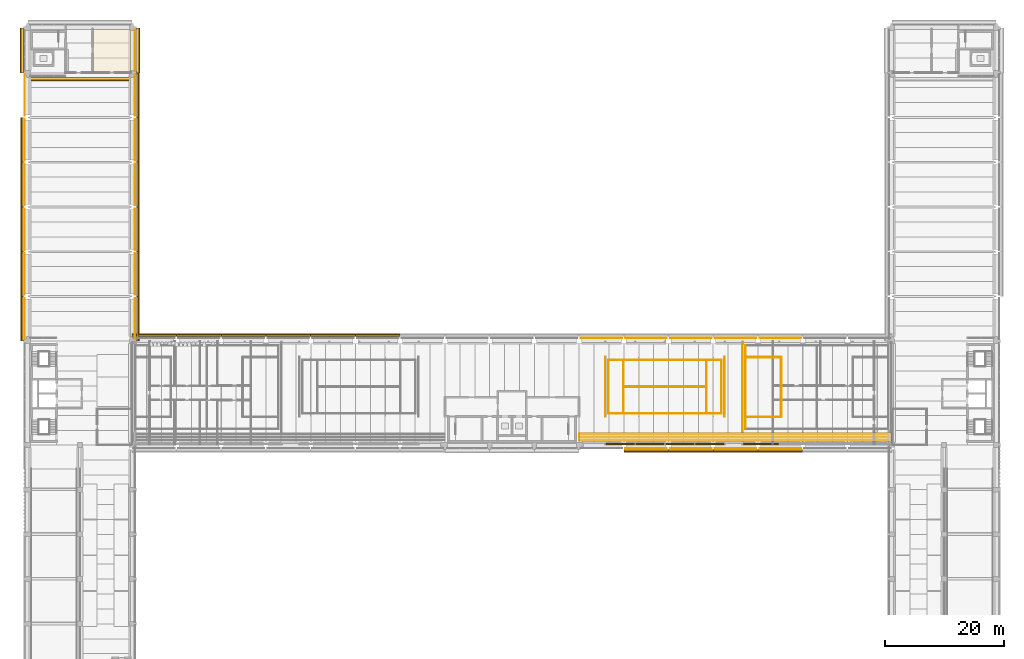
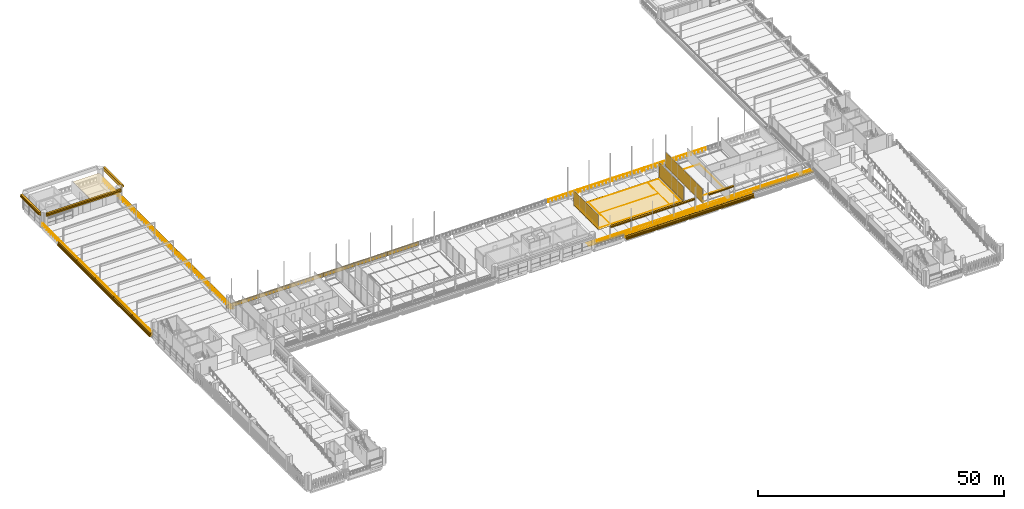
# One storey, part 52 of 62: 44 coverings, 22 railings, 10 shading devices.
"""IFC4 building model written with IfcOpenShell, lengths in metres."""

from ifc_helpers import new_model, si_unit, direction, frame, origin, origin_2d, place, context, subcontext, project, spatial, polyline, rectangle, circle, outline, extrude, material, layer, layer_set, material_profile, profile_set, type_object, element, save


model = new_model("IFC4")

# Units and contexts
model_context = context("Model", 3, precision=1e-05, world=origin(), true_north=direction((0.0, 1.0)))
body_context = subcontext(model_context, "Body", "Model", "MODEL_VIEW")
ifc_project = project(units=[si_unit("LENGTHUNIT", "METRE"), si_unit("AREAUNIT", "SQUARE_METRE"), si_unit("VOLUMEUNIT", "CUBIC_METRE"), si_unit("PLANEANGLEUNIT", "RADIAN"), si_unit("MASSUNIT", "GRAM", prefix="KILO")], contexts=[model_context])

# Site, building, storey
site_placement = place(None, origin())
site = spatial("IfcSite", under=ifc_project, at=site_placement, CompositionType="ELEMENT")
building_placement = place(site_placement, origin())
building = spatial("IfcBuilding", under=site, at=building_placement, Name="Cour d'Honneur Mobility Palace", CompositionType="ELEMENT")
storey_placement = place(building_placement, frame((0.0, 0.0, 19.300048828125)))
storey = spatial("IfcBuildingStorey", under=building, at=storey_placement, Name="L05", CompositionType="ELEMENT", Elevation=19.300048828125)

# Coverings
ifc_material_1 = material(Name="Polyethylene ball-stop net dark green")
ifc_layer_1 = layer(ifc_material_1, 0.010009765625)
ifc_layer_set_1 = layer_set([ifc_layer_1], Name="Polyethylene ball-stop net dark green")
covering_type_1 = type_object("IfcCoveringType", Name="Ball-stop net", PredefinedType="CLADDING", material=ifc_layer_set_1)
covering_1_placement = place(storey_placement, frame((119.760009765625, 47.199951171875, 0.14990234375), z_axis=(1.0, 0.0, 0.0), x_axis=(0.0, 1.0, 0.0)))
element("IfcCovering", 1, at=covering_1_placement, inside=storey, type_object=covering_type_1, Name="Ball-stop net FE-5", PredefinedType="CLADDING", context=body_context, shape_type="SweptSolid", body=[
    extrude(outline(polyline([(0.0, 0.0), (15.0, 0.0), (15.0, 3.590087890625), (0.0, 3.590087890625), (0.0, 0.0)])), origin(), (0.0, 0.0, -1.0), 0.010009765625),
])
for number, where, z_axis, x_axis, name in (
    (2, (96.760009765625, 49.75, 0.14990234375), (1.0, 0.0, 0.0), (0.0, 1.0, 0.0), "Ball-stop net PE-7"),
    (3, (116.760009765625, 49.75, 0.14990234375), (1.0, 0.0, 0.0), (0.0, 1.0, 0.0), "Ball-stop net PE-8"),
):
    element("IfcCovering", number, at=place(storey_placement, frame(where, z_axis=z_axis, x_axis=x_axis)), inside=storey, type_object=covering_type_1, Name=name, PredefinedType="CLADDING", context=body_context, shape_type="SweptSolid", body=[
        extrude(outline(polyline([(0.0, 0.0), (10.0, 0.0), (10.0, 3.590087890625), (0.0, 3.590087890625), (0.0, 0.0)])), origin(), (0.0, 0.0, -1.0), 0.010009765625),
    ])

# Railings
ifc_material_2 = material(Name="Painted steel", Category="steel")
railing_type = type_object("IfcRailingType", Name="Balustrade", PredefinedType="BALUSTRADE", material=ifc_material_2)
for number, where, name in (
    (4, (100.199951171875, 44.449951171875, 0.300048828125), "Balustrade BAL-277"),
    (5, (107.699951171875, 44.449951171875, 0.300048828125), "Balustrade BAL-278"),
    (6, (115.199951171875, 44.449951171875, 0.300048828125), "Balustrade BAL-279"),
    (7, (122.699951171875, 44.449951171875, 0.300048828125), "Balustrade BAL-280"),
):
    element("IfcRailing", number, at=place(storey_placement, frame(where)), inside=storey, type_object=railing_type, Name=name, PredefinedType="BALUSTRADE", context=body_context, shape_type="SweptSolid", body=[
        extrude(circle(Radius=0.02392578125, at=origin_2d()), frame((0.0, 0.0, 0.77587890625), z_axis=(1.0, 0.0, 0.0), x_axis=(0.0, 1.0, 0.0)), (0.0, 0.0, 1.0), 6.900146484375),
        extrude(circle(Radius=0.02099609375, at=origin_2d()), origin(), (0.0, 0.0, 1.0), 0.751953125),
        extrude(circle(Radius=0.02099609375, at=origin_2d()), frame((0.862548828125, 0.0, 0.0)), (0.0, 0.0, 1.0), 0.751953125),
        extrude(circle(Radius=0.02099609375, at=origin_2d()), frame((1.72509765625, 0.0, 0.0)), (0.0, 0.0, 1.0), 0.751953125),
        extrude(circle(Radius=0.02099609375, at=origin_2d()), frame((2.587646484375, 0.0, 0.0)), (0.0, 0.0, 1.0), 0.751953125),
        extrude(circle(Radius=0.02099609375, at=origin_2d()), frame((3.4501953125, 0.0, 0.0)), (0.0, 0.0, 1.0), 0.751953125),
        extrude(circle(Radius=0.02099609375, at=origin_2d()), frame((4.3125, 0.0, 0.0)), (0.0, 0.0, 1.0), 0.751953125),
        extrude(circle(Radius=0.02099609375, at=origin_2d()), frame((5.175048828125, 0.0, 0.0)), (0.0, 0.0, 1.0), 0.751953125),
        extrude(circle(Radius=0.02099609375, at=origin_2d()), frame((6.03759765625, 0.0, 0.0)), (0.0, 0.0, 1.0), 0.751953125),
        extrude(circle(Radius=0.02099609375, at=origin_2d()), frame((6.900146484375, 0.0, 0.0)), (0.0, 0.0, 1.0), 0.751953125),
    ])
for number, where, name in (
    (8, (129.60009765625, 62.949951171875, 0.300048828125), "Balustrade BAL-309"),
    (9, (122.10009765625, 62.949951171875, 0.300048828125), "Balustrade BAL-310"),
    (10, (114.60009765625, 62.949951171875, 0.300048828125), "Balustrade BAL-311"),
    (11, (107.10009765625, 62.949951171875, 0.300048828125), "Balustrade BAL-312"),
    (12, (99.60009765625, 62.949951171875, 0.300048828125), "Balustrade BAL-313"),
):
    element("IfcRailing", number, at=place(storey_placement, frame(where)), inside=storey, type_object=railing_type, Name=name, PredefinedType="BALUSTRADE", context=body_context, shape_type="SweptSolid", body=[
        extrude(circle(Radius=0.02392578125, at=origin_2d()), frame((0.0, 0.0, 0.77587890625), z_axis=(-1.0, 0.0, 0.0), x_axis=(0.0, -1.0, 0.0)), (0.0, 0.0, 1.0), 6.900146484375),
        extrude(circle(Radius=0.02099609375, at=origin_2d()), origin(), (0.0, 0.0, 1.0), 0.751953125),
        extrude(circle(Radius=0.02099609375, at=origin_2d()), frame((-0.862548828125, 0.0, 0.0)), (0.0, 0.0, 1.0), 0.751953125),
        extrude(circle(Radius=0.02099609375, at=origin_2d()), frame((-1.72509765625, 0.0, 0.0)), (0.0, 0.0, 1.0), 0.751953125),
        extrude(circle(Radius=0.02099609375, at=origin_2d()), frame((-2.587646484375, 0.0, 0.0)), (0.0, 0.0, 1.0), 0.751953125),
        extrude(circle(Radius=0.02099609375, at=origin_2d()), frame((-3.4501953125, 0.0, 0.0)), (0.0, 0.0, 1.0), 0.751953125),
        extrude(circle(Radius=0.02099609375, at=origin_2d()), frame((-4.3125, 0.0, 0.0)), (0.0, 0.0, 1.0), 0.751953125),
        extrude(circle(Radius=0.02099609375, at=origin_2d()), frame((-5.175048828125, 0.0, 0.0)), (0.0, 0.0, 1.0), 0.751953125),
        extrude(circle(Radius=0.02099609375, at=origin_2d()), frame((-6.03759765625, 0.0, 0.0)), (0.0, 0.0, 1.0), 0.751953125),
        extrude(circle(Radius=0.02099609375, at=origin_2d()), frame((-6.900146484375, 0.0, 0.0)), (0.0, 0.0, 1.0), 0.751953125),
    ])
for number, where, name in (
    (13, (17.949951171875, 62.699951171875, 0.300048828125), "Balustrade BAL-324"),
    (14, (17.949951171875, 70.199951171875, 0.300048828125), "Balustrade BAL-325"),
    (15, (17.949951171875, 77.699951171875, 0.300048828125), "Balustrade BAL-326"),
    (16, (17.949951171875, 85.199951171875, 0.300048828125), "Balustrade BAL-327"),
    (17, (17.949951171875, 92.699951171875, 0.300048828125), "Balustrade BAL-328"),
    (18, (17.949951171875, 100.199951171875, 0.300048828125), "Balustrade BAL-329"),
    (19, (17.949951171875, 107.699951171875, 0.300048828125), "Balustrade BAL-330"),
):
    element("IfcRailing", number, at=place(storey_placement, frame(where)), inside=storey, type_object=railing_type, Name=name, PredefinedType="BALUSTRADE", context=body_context, shape_type="SweptSolid", body=[
        extrude(circle(Radius=0.02392578125, at=origin_2d()), frame((0.0, 0.0, 0.77587890625), z_axis=(0.0, 1.0, 0.0), x_axis=(-1.0, 0.0, 0.0)), (0.0, 0.0, 1.0), 6.900146484375),
        extrude(circle(Radius=0.02099609375, at=origin_2d()), origin(), (0.0, 0.0, 1.0), 0.751953125),
        extrude(circle(Radius=0.02099609375, at=origin_2d()), frame((0.0, 0.862548828125, 0.0)), (0.0, 0.0, 1.0), 0.751953125),
        extrude(circle(Radius=0.02099609375, at=origin_2d()), frame((0.0, 1.72509765625, 0.0)), (0.0, 0.0, 1.0), 0.751953125),
        extrude(circle(Radius=0.02099609375, at=origin_2d()), frame((0.0, 2.587646484375, 0.0)), (0.0, 0.0, 1.0), 0.751953125),
        extrude(circle(Radius=0.02099609375, at=origin_2d()), frame((0.0, 3.4501953125, 0.0)), (0.0, 0.0, 1.0), 0.751953125),
        extrude(circle(Radius=0.02099609375, at=origin_2d()), frame((0.0, 4.3125, 0.0)), (0.0, 0.0, 1.0), 0.751953125),
        extrude(circle(Radius=0.02099609375, at=origin_2d()), frame((0.0, 5.175048828125, 0.0)), (0.0, 0.0, 1.0), 0.751953125),
        extrude(circle(Radius=0.02099609375, at=origin_2d()), frame((0.0, 6.03759765625, 0.0)), (0.0, 0.0, 1.0), 0.751953125),
        extrude(circle(Radius=0.02099609375, at=origin_2d()), frame((0.0, 6.900146484375, 0.0)), (0.0, 0.0, 1.0), 0.751953125),
    ])
for number, where, name in (
    (20, (-0.550048828125, 107.10009765625, 0.300048828125), "Balustrade BAL-332"),
    (21, (-0.550048828125, 99.60009765625, 0.300048828125), "Balustrade BAL-333"),
    (22, (-0.550048828125, 92.10009765625, 0.300048828125), "Balustrade BAL-334"),
    (23, (-0.550048828125, 84.60009765625, 0.300048828125), "Balustrade BAL-335"),
    (24, (-0.550048828125, 77.10009765625, 0.300048828125), "Balustrade BAL-336"),
    (25, (-0.550048828125, 69.60009765625, 0.300048828125), "Balustrade BAL-337"),
):
    element("IfcRailing", number, at=place(storey_placement, frame(where)), inside=storey, type_object=railing_type, Name=name, PredefinedType="BALUSTRADE", context=body_context, shape_type="SweptSolid", body=[
        extrude(circle(Radius=0.02392578125, at=origin_2d()), frame((0.0, 0.0, 0.77587890625), z_axis=(0.0, -1.0, 0.0), x_axis=(1.0, 0.0, 0.0)), (0.0, 0.0, 1.0), 6.900146484375),
        extrude(circle(Radius=0.02099609375, at=origin_2d()), origin(), (0.0, 0.0, 1.0), 0.751953125),
        extrude(circle(Radius=0.02099609375, at=origin_2d()), frame((0.0, -0.862548828125, 0.0)), (0.0, 0.0, 1.0), 0.751953125),
        extrude(circle(Radius=0.02099609375, at=origin_2d()), frame((0.0, -1.72509765625, 0.0)), (0.0, 0.0, 1.0), 0.751953125),
        extrude(circle(Radius=0.02099609375, at=origin_2d()), frame((0.0, -2.587646484375, 0.0)), (0.0, 0.0, 1.0), 0.751953125),
        extrude(circle(Radius=0.02099609375, at=origin_2d()), frame((0.0, -3.4501953125, 0.0)), (0.0, 0.0, 1.0), 0.751953125),
        extrude(circle(Radius=0.02099609375, at=origin_2d()), frame((0.0, -4.3125, 0.0)), (0.0, 0.0, 1.0), 0.751953125),
        extrude(circle(Radius=0.02099609375, at=origin_2d()), frame((0.0, -5.175048828125, 0.0)), (0.0, 0.0, 1.0), 0.751953125),
        extrude(circle(Radius=0.02099609375, at=origin_2d()), frame((0.0, -6.03759765625, 0.0)), (0.0, 0.0, 1.0), 0.751953125),
        extrude(circle(Radius=0.02099609375, at=origin_2d()), frame((0.0, -6.900146484375, 0.0)), (0.0, 0.0, 1.0), 0.751953125),
    ])

# Coverings
ifc_material_3 = material(Name="White court marking paint")
ifc_material_profile = material_profile(ifc_material_3, rectangle(XDim=0.10009765625, YDim=0.001953125, at=origin_2d()), Name="Court line marking")
ifc_profile_set = profile_set([ifc_material_profile], Name="White court marking paint")
covering_type_2 = type_object("IfcCoveringType", Name="Court line marking", PredefinedType="FLOORING", material=ifc_profile_set)
covering_2_placement = place(storey_placement, frame((120.300048828125, 61.699951171875, 0.0009765625), z_axis=(0.0, -1.0, 0.0), x_axis=(1.0, 0.0, 0.0)))
element("IfcCovering", 26, at=covering_2_placement, inside=storey, type_object=covering_type_2, Name="Court marking FE-22", PredefinedType="FLOORING", context=body_context, shape_type="SweptSolid", body=[
    extrude(rectangle(XDim=0.10009765625, YDim=0.001953125, at=origin_2d()), origin(), (0.0, 0.0, 1.0), 14.0),
])
covering_3_placement = place(storey_placement, frame((126.300048828125, 49.699951171875, 0.0009765625), z_axis=(0.0, 1.0, 0.0), x_axis=(-1.0, 0.0, 0.0)))
element("IfcCovering", 27, at=covering_3_placement, inside=storey, type_object=covering_type_2, Name="Court marking FE-24", PredefinedType="FLOORING", context=body_context, shape_type="SweptSolid", body=[
    extrude(rectangle(XDim=0.10009765625, YDim=0.001953125, at=origin_2d()), origin(), (0.0, 0.0, 1.0), 10.0),
])
for number, where, z_axis, x_axis, name in (
    (28, (120.300048828125, 49.699951171875, 0.0009765625), (1.0, 0.0, 0.0), (0.0, 1.0, 0.0), "Court marking FE-25"),
    (29, (120.300048828125, 59.699951171875, 0.0009765625), (1.0, 0.0, 0.0), (0.0, 1.0, 0.0), "Court marking FE-26"),
):
    element("IfcCovering", number, at=place(storey_placement, frame(where, z_axis=z_axis, x_axis=x_axis)), inside=storey, type_object=covering_type_2, Name=name, PredefinedType="FLOORING", context=body_context, shape_type="SweptSolid", body=[
        extrude(rectangle(XDim=0.10009765625, YDim=0.001953125, at=origin_2d()), origin(), (0.0, 0.0, 1.0), 6.0),
    ])
covering_4_placement = place(storey_placement, frame((97.300048828125, 50.25, 0.0009765625), z_axis=(1.0, 0.0, 0.0), x_axis=(0.0, 1.0, 0.0)))
element("IfcCovering", 30, at=covering_4_placement, inside=storey, type_object=covering_type_2, Name="Court marking PE-30", PredefinedType="FLOORING", context=body_context, shape_type="SweptSolid", body=[
    extrude(rectangle(XDim=0.10009765625, YDim=0.001953125, at=origin_2d()), origin(), (0.0, 0.0, 1.0), 19.0),
])
covering_5_placement = place(storey_placement, frame((116.300048828125, 50.25, 0.0009765625), z_axis=(0.0, 1.0, 0.0), x_axis=(-1.0, 0.0, 0.0)))
element("IfcCovering", 31, at=covering_5_placement, inside=storey, type_object=covering_type_2, Name="Court marking PE-31", PredefinedType="FLOORING", context=body_context, shape_type="SweptSolid", body=[
    extrude(rectangle(XDim=0.10009765625, YDim=0.001953125, at=origin_2d()), origin(), (0.0, 0.0, 1.0), 9.0),
])
covering_6_placement = place(storey_placement, frame((116.300048828125, 59.25, 0.0009765625), z_axis=(-1.0, 0.0, 0.0), x_axis=(0.0, -1.0, 0.0)))
element("IfcCovering", 32, at=covering_6_placement, inside=storey, type_object=covering_type_2, Name="Court marking PE-32", PredefinedType="FLOORING", context=body_context, shape_type="SweptSolid", body=[
    extrude(rectangle(XDim=0.10009765625, YDim=0.001953125, at=origin_2d()), origin(), (0.0, 0.0, 1.0), 19.0),
])
for number, where, z_axis, x_axis, name in (
    (33, (97.300048828125, 59.25, 0.0009765625), (0.0, -1.0, 0.0), (1.0, 0.0, 0.0), "Court marking PE-33"),
    (34, (99.85009765625, 50.25, 0.0009765625), (0.0, 1.0, 0.0), (-1.0, 0.0, 0.0), "Court marking PE-34"),
    (35, (113.75, 50.25, 0.0009765625), (0.0, 1.0, 0.0), (-1.0, 0.0, 0.0), "Court marking PE-35"),
):
    element("IfcCovering", number, at=place(storey_placement, frame(where, z_axis=z_axis, x_axis=x_axis)), inside=storey, type_object=covering_type_2, Name=name, PredefinedType="FLOORING", context=body_context, shape_type="SweptSolid", body=[
        extrude(rectangle(XDim=0.10009765625, YDim=0.001953125, at=origin_2d()), origin(), (0.0, 0.0, 1.0), 9.0),
    ])
covering_7_placement = place(storey_placement, frame((99.85009765625, 54.75, 0.0009765625), z_axis=(1.0, 0.0, 0.0), x_axis=(0.0, 1.0, 0.0)))
element("IfcCovering", 36, at=covering_7_placement, inside=storey, type_object=covering_type_2, Name="Court marking PE-36", PredefinedType="FLOORING", context=body_context, shape_type="SweptSolid", body=[
    extrude(rectangle(XDim=0.10009765625, YDim=0.001953125, at=origin_2d()), origin(), (0.0, 0.0, 1.0), 13.89990234375),
])
for number, where, z_axis, x_axis, name in (
    (37, (92.39990234375, 45.85009765625, 0.0009765625), (1.0, 0.0, 0.0), (0.0, 1.0, 0.0), "Court marking RTE-40"),
    (38, (92.39990234375, 46.35009765625, 0.0009765625), (1.0, 0.0, 0.0), (0.0, 1.0, 0.0), "Court marking RTE-41"),
    (39, (92.39990234375, 46.85009765625, 0.0009765625), (1.0, 0.0, 0.0), (0.0, 1.0, 0.0), "Court marking RTE-42"),
):
    element("IfcCovering", number, at=place(storey_placement, frame(where, z_axis=z_axis, x_axis=x_axis)), inside=storey, type_object=covering_type_2, Name=name, PredefinedType="FLOORING", context=body_context, shape_type="SweptSolid", body=[
        extrude(rectangle(XDim=0.10009765625, YDim=0.001953125, at=origin_2d()), origin(), (0.0, 0.0, 1.0), 52.400146484375),
    ])
ifc_material_4 = material(Name="Cast limestone", Category="masonry")
ifc_layer_2 = layer(ifc_material_4, 0.5)
ifc_layer_set_2 = layer_set([ifc_layer_2], Name="Cast limestone")
covering_type_3 = type_object("IfcCoveringType", Name="Crown cornice", PredefinedType="CLADDING", material=ifc_layer_set_2)
for number, where, z_axis, x_axis, name in (
    (40, (99.89990234375, 44.199951171875, 0.099853515625), (-1.0, 0.0, 0.0), (0.0, -1.0, 0.0), "Crown cornice CN-8"),
    (41, (107.39990234375, 44.199951171875, 0.099853515625), (-1.0, 0.0, 0.0), (0.0, -1.0, 0.0), "Crown cornice CN-9"),
    (42, (114.89990234375, 44.199951171875, 0.099853515625), (-1.0, 0.0, 0.0), (0.0, -1.0, 0.0), "Crown cornice CN-10"),
    (43, (122.39990234375, 44.199951171875, 0.099853515625), (-1.0, 0.0, 0.0), (0.0, -1.0, 0.0), "Crown cornice CN-11"),
):
    element("IfcCovering", number, at=place(storey_placement, frame(where, z_axis=z_axis, x_axis=x_axis)), inside=storey, type_object=covering_type_3, Name=name, PredefinedType="CLADDING", context=body_context, shape_type="SweptSolid", body=[
        extrude(outline(polyline([(0.0, 0.0), (0.5, 0.0), (0.5, 0.25), (0.3798828125, 0.25), (0.3798828125, 0.5), (0.25, 0.5), (0.25, 0.900146484375), (0.0, 0.900146484375), (0.0, 0.0)])), origin(), (0.0, 0.0, -1.0), 7.5),
    ])
for number, where, z_axis, x_axis, name in (
    (44, (62.39990234375, 63.199951171875, 0.099853515625), (1.0, 0.0, 0.0), (0.0, 1.0, 0.0), "Crown cornice CN-36"),
    (45, (54.89990234375, 63.199951171875, 0.099853515625), (1.0, 0.0, 0.0), (0.0, 1.0, 0.0), "Crown cornice CN-37"),
    (46, (47.39990234375, 63.199951171875, 0.099853515625), (1.0, 0.0, 0.0), (0.0, 1.0, 0.0), "Crown cornice CN-38"),
    (47, (39.89990234375, 63.199951171875, 0.099853515625), (1.0, 0.0, 0.0), (0.0, 1.0, 0.0), "Crown cornice CN-39"),
    (48, (32.39990234375, 63.199951171875, 0.099853515625), (1.0, 0.0, 0.0), (0.0, 1.0, 0.0), "Crown cornice CN-40"),
    (49, (24.89990234375, 63.199951171875, 0.099853515625), (1.0, 0.0, 0.0), (0.0, 1.0, 0.0), "Crown cornice CN-41"),
    (50, (18.199951171875, 62.39990234375, 0.099853515625), (0.0, -1.0, 0.0), (1.0, 0.0, 0.0), "Crown cornice CN-42"),
    (51, (18.199951171875, 69.89990234375, 0.099853515625), (0.0, -1.0, 0.0), (1.0, 0.0, 0.0), "Crown cornice CN-43"),
    (52, (18.199951171875, 77.39990234375, 0.099853515625), (0.0, -1.0, 0.0), (1.0, 0.0, 0.0), "Crown cornice CN-44"),
    (53, (18.199951171875, 84.89990234375, 0.099853515625), (0.0, -1.0, 0.0), (1.0, 0.0, 0.0), "Crown cornice CN-45"),
    (54, (18.199951171875, 92.39990234375, 0.099853515625), (0.0, -1.0, 0.0), (1.0, 0.0, 0.0), "Crown cornice CN-46"),
    (55, (18.199951171875, 99.89990234375, 0.099853515625), (0.0, -1.0, 0.0), (1.0, 0.0, 0.0), "Crown cornice CN-47"),
):
    element("IfcCovering", number, at=place(storey_placement, frame(where, z_axis=z_axis, x_axis=x_axis)), inside=storey, type_object=covering_type_3, Name=name, PredefinedType="CLADDING", context=body_context, shape_type="SweptSolid", body=[
        extrude(outline(polyline([(0.0, 0.0), (0.5, 0.0), (0.5, 0.25), (0.380126953125, 0.25), (0.380126953125, 0.5), (0.25, 0.5), (0.25, 0.900146484375), (0.0, 0.900146484375), (0.0, 0.0)])), origin(), (0.0, 0.0, -1.0), 7.5),
    ])
for number, where, z_axis, x_axis, name in (
    (56, (-0.800048828125, 99.89990234375, 0.099853515625), (0.0, 1.0, 0.0), (-1.0, 0.0, 0.0), "Crown cornice CN-48"),
    (57, (-0.800048828125, 92.39990234375, 0.099853515625), (0.0, 1.0, 0.0), (-1.0, 0.0, 0.0), "Crown cornice CN-49"),
    (58, (-0.800048828125, 84.89990234375, 0.099853515625), (0.0, 1.0, 0.0), (-1.0, 0.0, 0.0), "Crown cornice CN-50"),
    (59, (-0.800048828125, 77.39990234375, 0.099853515625), (0.0, 1.0, 0.0), (-1.0, 0.0, 0.0), "Crown cornice CN-51"),
    (60, (-0.800048828125, 69.89990234375, 0.099853515625), (0.0, 1.0, 0.0), (-1.0, 0.0, 0.0), "Crown cornice CN-52"),
):
    element("IfcCovering", number, at=place(storey_placement, frame(where, z_axis=z_axis, x_axis=x_axis)), inside=storey, type_object=covering_type_3, Name=name, PredefinedType="CLADDING", context=body_context, shape_type="SweptSolid", body=[
        extrude(outline(polyline([(0.0, 0.0), (0.5, 0.0), (0.5, 0.25), (0.3798828125, 0.25), (0.3798828125, 0.5), (0.25, 0.5), (0.25, 0.900146484375), (0.0, 0.900146484375), (0.0, 0.0)])), origin(), (0.0, 0.0, -1.0), 7.5),
    ])
covering_8_placement = place(storey_placement, frame((-0.75, 114.89990234375, 2.800048828125), z_axis=(0.0, 1.0, 0.0), x_axis=(-1.0, 0.0, 0.0)))
element("IfcCovering", 61, at=covering_8_placement, inside=storey, type_object=covering_type_3, Name="Crown cornice CN-57", PredefinedType="CLADDING", context=body_context, shape_type="SweptSolid", body=[
    extrude(outline(polyline([(0.0, 0.0), (0.199951171875, 0.0), (0.199951171875, 0.2998046875), (0.60009765625, 0.2998046875), (0.60009765625, 0.599853515625), (0.449951171875, 0.599853515625), (0.449951171875, 0.89990234375), (0.0, 0.89990234375), (0.0, 0.0)])), origin(), (0.0, 0.0, -1.0), 7.5),
])
covering_9_placement = place(storey_placement, frame((0.0, 106.64990234375, 2.800048828125), z_axis=(-1.0, 0.0, 0.0), x_axis=(0.0, -1.0, 0.0)))
element("IfcCovering", 62, at=covering_9_placement, inside=storey, type_object=covering_type_3, Name="Crown cornice CN-58", PredefinedType="CLADDING", context=body_context, shape_type="SweptSolid", body=[
    extrude(outline(polyline([(0.0, 0.0), (0.199951171875, 0.0), (0.199951171875, 0.2998046875), (0.599853515625, 0.2998046875), (0.599853515625, 0.599853515625), (0.449951171875, 0.599853515625), (0.449951171875, 0.89990234375), (0.0, 0.89990234375), (0.0, 0.0)])), origin(), (0.0, 0.0, -1.0), 17.39990234375),
])
covering_10_placement = place(storey_placement, frame((18.14990234375, 107.39990234375, 2.800048828125), z_axis=(0.0, -1.0, 0.0), x_axis=(1.0, 0.0, 0.0)))
element("IfcCovering", 63, at=covering_10_placement, inside=storey, type_object=covering_type_3, Name="Crown cornice CN-59", PredefinedType="CLADDING", context=body_context, shape_type="SweptSolid", body=[
    extrude(outline(polyline([(0.0, 0.0), (0.2001953125, 0.0), (0.2001953125, 0.2998046875), (0.60009765625, 0.2998046875), (0.60009765625, 0.599853515625), (0.4501953125, 0.599853515625), (0.4501953125, 0.89990234375), (0.0, 0.89990234375), (0.0, 0.0)])), origin(), (0.0, 0.0, -1.0), 7.5),
])
ifc_material_5 = material(Name="Acrylic court surface blue")
ifc_layer_3 = layer(ifc_material_5, 0.006103515625)
ifc_layer_set_3 = layer_set([ifc_layer_3], Name="Acrylic court surface blue")
covering_type_4 = type_object("IfcCoveringType", Name="Padel court surface", PredefinedType="FLOORING", material=ifc_layer_set_3)
covering_11_placement = place(storey_placement, frame((96.800048828125, 49.75, 0.0), z_axis=(0.0, 0.0, 1.0), x_axis=(1.0, 0.0, 0.0)))
element("IfcCovering", 64, at=covering_11_placement, inside=storey, type_object=covering_type_4, Name="Padel Court East surface", PredefinedType="FLOORING", context=body_context, shape_type="SweptSolid", body=[
    extrude(outline(polyline([(0.0, 0.0), (20.0, 0.0), (20.0, 10.0), (0.0, 10.0), (0.0, 0.0)])), origin(), (0.0, 0.0, -1.0), 0.006103515625),
])
ifc_material_6 = material(Name="Rubber track surface terracotta red", Category="masonry")
ifc_layer_4 = layer(ifc_material_6, 0.006103515625)
ifc_layer_set_4 = layer_set([ifc_layer_4], Name="Rubber track surface terracotta red")
covering_type_5 = type_object("IfcCoveringType", Name="Running track surface", PredefinedType="FLOORING", material=ifc_layer_set_4)
covering_12_placement = place(storey_placement, frame((92.39990234375, 45.60009765625, 0.0), z_axis=(0.0, 0.0, 1.0), x_axis=(1.0, 0.0, 0.0)))
element("IfcCovering", 65, at=covering_12_placement, inside=storey, type_object=covering_type_5, Name="Running track East", PredefinedType="FLOORING", context=body_context, shape_type="SweptSolid", body=[
    extrude(outline(polyline([(0.0, 0.0), (52.400146484375, 0.0), (52.400146484375, 1.5), (0.0, 1.5), (0.0, 0.0)])), origin(), (0.0, 0.0, -1.0), 0.006103515625),
])
ifc_material_7 = material(Name="Suspended ceiling")
ifc_layer_5 = layer(ifc_material_7, 0.030029296875)
ifc_layer_set_5 = layer_set([ifc_layer_5], Name="Suspended ceiling")
covering_type_6 = type_object("IfcCoveringType", Name="Suspended ceiling", PredefinedType="CEILING", material=ifc_layer_set_5)
covering_13_placement = place(storey_placement, frame((0.0, 0.0, 2.550048828125)))
element("IfcCovering", 66, at=covering_13_placement, inside=storey, type_object=covering_type_6, Name="Ceiling Cycle Terrace Lounge", PredefinedType="CEILING", context=body_context, shape_type="SweptSolid", body=[
    extrude(outline(polyline([(17.280029296875, 107.52001953125), (10.919921875, 107.52001953125), (10.919921875, 114.780029296875), (17.280029296875, 114.780029296875), (17.280029296875, 107.52001953125)])), origin(), (0.0, 0.0, 1.0), 0.02978515625),
])

# Shading devices
ifc_material_8 = material(Name="Terracotta", Category="masonry")
ifc_layer_6 = layer(ifc_material_8, 0.02490234375)
ifc_layer_set_6 = layer_set([ifc_layer_6], Name="Terracotta")
shading_device_type = type_object("IfcShadingDeviceType", Name="Terracotta louvre blade", PredefinedType="JALOUSIE", material=ifc_layer_set_6)
for number, where, z_axis, x_axis, name in (
    (67, (119.89990234375, 45.01904296875, 3.39990234375), (0.0, -0.707513749017, 0.706699578995), (1.0, 0.0, 0.0), "Louvre blade LV-2 FE PG-FE-S1 1"),
    (68, (119.89990234375, 45.01904296875, 3.612060546875), (0.0, -0.707513749017, 0.706699578995), (1.0, 0.0, 0.0), "Louvre blade LV-2 FE PG-FE-S1 2"),
):
    element("IfcShadingDevice", number, at=place(storey_placement, frame(where, z_axis=z_axis, x_axis=x_axis)), inside=storey, type_object=shading_device_type, Name=name, PredefinedType="JALOUSIE", context=body_context, shape_type="SweptSolid", body=[
        extrude(outline(polyline([(0.0, 0.0), (5.9501953125, 0.0), (5.9501953125, 0.29986442442957895), (0.0, 0.29986442442957895), (0.0, 0.0)])), origin(), (0.0, 0.0, -1.0), 0.02490234375),
    ])
for number, where, z_axis, x_axis, name in (
    (69, (96.89990234375, 45.01904296875, 3.39990234375), (0.0, -0.707513749017, 0.706699578995), (1.0, 0.0, 0.0), "Louvre blade LV-2 PE PG-PE-S1 1"),
    (70, (96.89990234375, 45.01904296875, 3.612060546875), (0.0, -0.707513749017, 0.706699578995), (1.0, 0.0, 0.0), "Louvre blade LV-2 PE PG-PE-S1 2"),
    (71, (101.89990234375, 45.01904296875, 3.39990234375), (0.0, -0.707513749017, 0.706699578995), (1.0, 0.0, 0.0), "Louvre blade LV-2 PE PG-PE-S2 1"),
    (72, (101.89990234375, 45.01904296875, 3.612060546875), (0.0, -0.707513749017, 0.706699578995), (1.0, 0.0, 0.0), "Louvre blade LV-2 PE PG-PE-S2 2"),
    (73, (106.89990234375, 45.01904296875, 3.39990234375), (0.0, -0.707513749017, 0.706699578995), (1.0, 0.0, 0.0), "Louvre blade LV-2 PE PG-PE-S3 1"),
    (74, (106.89990234375, 45.01904296875, 3.612060546875), (0.0, -0.707513749017, 0.706699578995), (1.0, 0.0, 0.0), "Louvre blade LV-2 PE PG-PE-S3 2"),
    (75, (111.89990234375, 45.01904296875, 3.39990234375), (0.0, -0.707513749017, 0.706699578995), (1.0, 0.0, 0.0), "Louvre blade LV-2 PE PG-PE-S4 1"),
    (76, (111.89990234375, 45.01904296875, 3.612060546875), (0.0, -0.707513749017, 0.706699578995), (1.0, 0.0, 0.0), "Louvre blade LV-2 PE PG-PE-S4 2"),
):
    element("IfcShadingDevice", number, at=place(storey_placement, frame(where, z_axis=z_axis, x_axis=x_axis)), inside=storey, type_object=shading_device_type, Name=name, PredefinedType="JALOUSIE", context=body_context, shape_type="SweptSolid", body=[
        extrude(outline(polyline([(0.0, 0.0), (4.800048828125, 0.0), (4.800048828125, 0.29986442442957895), (0.0, 0.29986442442957895), (0.0, 0.0)])), origin(), (0.0, 0.0, -1.0), 0.02490234375),
    ])

save(model, "model.ifc")
